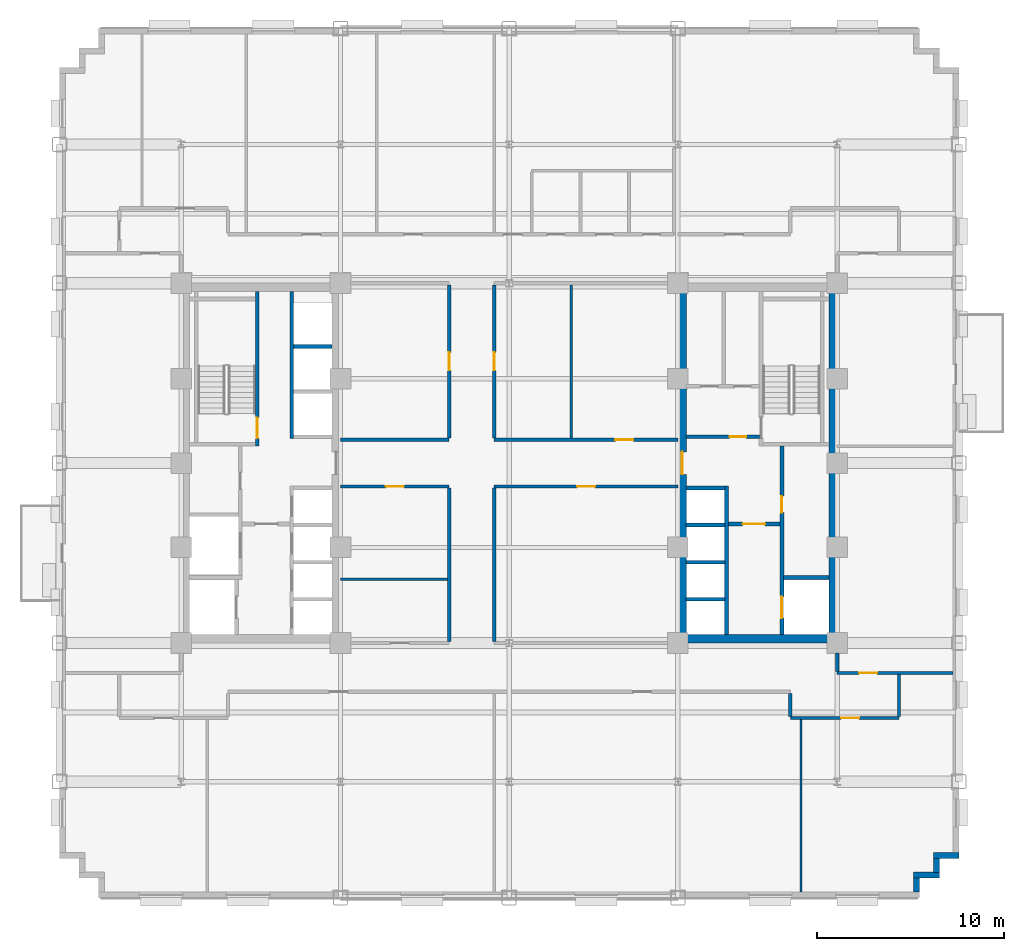
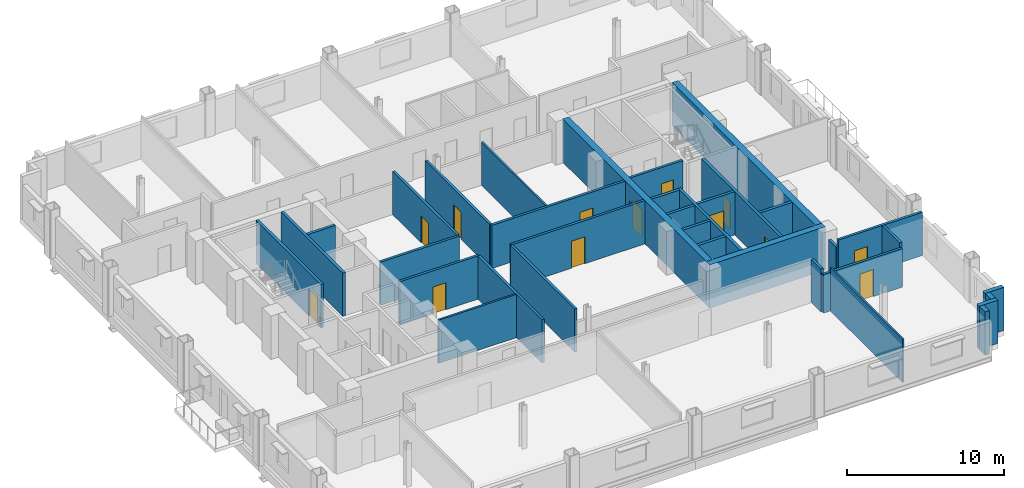
# One storey, part 7 of 15: 35 walls, 13 doors, 13 openings.
"""IFC4 building model written with IfcOpenShell, lengths in metres."""

from ifc_helpers import new_model, si_unit, direction, frame, frame_2d, origin, place, context, subcontext, project, spatial, rectangle, extrude, source, transform, mapped, material, layer, layer_set, type_object, type_shapes, element, fill, save


model = new_model("IFC4")

# Units and contexts
model_context = context("Model", 3, precision=1e-05, world=origin(), true_north=direction((0.0, 1.0)))
body_context = subcontext(model_context, "Body", "Model", "MODEL_VIEW")
ifc_project = project(units=[si_unit("LENGTHUNIT", "METRE"), si_unit("AREAUNIT", "SQUARE_METRE"), si_unit("VOLUMEUNIT", "CUBIC_METRE"), si_unit("PLANEANGLEUNIT", "RADIAN"), si_unit("MASSUNIT", "GRAM", prefix="KILO")], contexts=[model_context])

# Site, building, storey
site_placement = place(None, origin())
site = spatial("IfcSite", under=ifc_project, at=site_placement, CompositionType="ELEMENT")
building_placement = place(site_placement, origin())
building = spatial("IfcBuilding", under=site, at=building_placement, Name="Nuvemarco Arch Tower", CompositionType="ELEMENT")
storey_placement = place(building_placement, frame((0.0, 0.0, 86.0)))
storey = spatial("IfcBuildingStorey", under=building, at=storey_placement, Name="L22", CompositionType="ELEMENT", Elevation=86.0)

# Walls
ifc_material_1 = material(Name="Precast concrete C45/55", Category="concrete")
ifc_layer_1 = layer(ifc_material_1, 0.320068359375, Name="EW-MID-320")
ifc_layer_set_1 = layer_set([ifc_layer_1], Name="Precast concrete C45/55")
wall_type_1 = type_object("IfcWallType", Name="EW-MID-320", PredefinedType="STANDARD", material=ifc_layer_set_1)
wall_1_placement = place(storey_placement, frame((21.739990234375, -22.884033203125, 0.0), z_axis=(0.0, 0.0, 1.0), x_axis=(0.0, 1.0, 0.0)))
element("IfcWall", 1, at=wall_1_placement, inside=storey, type_object=wall_type_1, Name="L22 exterior precast facade wall 2", PredefinedType="STANDARD", context=body_context, shape_type="SweptSolid", body=[
    extrude(rectangle(XDim=0.738037109375, YDim=0.320068359375, at=frame_2d((0.369140625, 0.0))), origin(), (0.0, 0.0, 1.0), 3.360107421875),
])
wall_2_placement = place(storey_placement, frame((21.580078125, -21.989990234375, 0.0), z_axis=(0.0, 0.0, 1.0), x_axis=(1.0, 0.0, 0.0)))
element("IfcWall", 2, at=wall_2_placement, inside=storey, type_object=wall_type_1, Name="L22 exterior precast facade wall 3", PredefinedType="STANDARD", context=body_context, shape_type="SweptSolid", body=[
    extrude(rectangle(XDim=1.369873046875, YDim=0.320068359375, at=frame_2d((0.68505859375, 0.0))), origin(), (0.0, 0.0, 1.0), 3.360107421875),
])
wall_3_placement = place(storey_placement, frame((22.7900390625, -21.833984375, 0.0), z_axis=(0.0, 0.0, 1.0), x_axis=(0.0, 1.0, 0.0)))
element("IfcWall", 3, at=wall_3_placement, inside=storey, type_object=wall_type_1, Name="L22 exterior precast facade wall 4", PredefinedType="STANDARD", context=body_context, shape_type="SweptSolid", body=[
    extrude(rectangle(XDim=0.738037109375, YDim=0.320068359375, at=frame_2d((0.369140625, 0.0))), origin(), (0.0, 0.0, 1.0), 3.360107421875),
])
wall_4_placement = place(storey_placement, frame((22.6298828125, -20.93994140625, 0.0), z_axis=(0.0, 0.0, 1.0), x_axis=(1.0, 0.0, 0.0)))
element("IfcWall", 4, at=wall_4_placement, inside=storey, type_object=wall_type_1, Name="L22 exterior precast facade wall 5", PredefinedType="STANDARD", context=body_context, shape_type="SweptSolid", body=[
    extrude(rectangle(XDim=1.3701171875, YDim=0.320068359375, at=frame_2d((0.68505859375, 0.0))), origin(), (0.0, 0.0, 1.0), 3.360107421875),
])
ifc_material_2 = material(Name="Concrete C60/75", Category="concrete")
ifc_layer_2 = layer(ifc_material_2, 0.449951171875, Name="WL-CORE-450")
ifc_layer_set_2 = layer_set([ifc_layer_2], Name="Concrete C60/75")
wall_type_2 = type_object("IfcWallType", Name="WL-CORE-450", PredefinedType="SHEAR", material=ifc_layer_set_2)
wall_5_placement = place(storey_placement, frame((9.0, -9.375, 0.0), z_axis=(0.0, 0.0, 1.0), x_axis=(1.0, 0.0, 0.0)))
element("IfcWall", 5, at=wall_5_placement, inside=storey, type_object=wall_type_2, Name="L22 E-core shear wall S", PredefinedType="SHEAR", context=body_context, shape_type="SweptSolid", body=[
    extrude(rectangle(XDim=8.5, YDim=0.449951171875, at=frame_2d((4.25, 0.0))), origin(), (0.0, 0.0, 1.0), 3.3701171875),
])

# Wall, opening, door
wall_6_placement = place(storey_placement, frame((9.22509765625, -9.155029296875, 0.0), z_axis=(0.0, 0.0, 1.0), x_axis=(0.0, 1.0, 0.0)))
wall_6 = element("IfcWall", 6, at=wall_6_placement, inside=storey, type_object=wall_type_2, Name="L22 E-core shear wall W", PredefinedType="SHEAR", context=body_context, shape_type="SweptSolid", body=[
    extrude(rectangle(XDim=18.31005859375, YDim=0.449951171875, at=frame_2d((9.155029296875, 0.0))), origin(), (0.0, 0.0, 1.0), 3.3701171875),
])
opening_1_placement = place(wall_6_placement, frame((8.554931640625, 0.0, 0.0)))
opening_1 = element("IfcOpeningElement", 7, at=opening_1_placement, cuts=wall_6, Name="Opening FD-2", PredefinedType="OPENING", context=body_context, shape_type="SweptSolid", body=[
    extrude(rectangle(XDim=1.199951171875, YDim=2.14990234375, at=frame_2d((0.60009765625, 1.074951171875))), frame((0.0, 0.23486328125, 0.0), z_axis=(0.0, -1.0, 0.0), x_axis=(1.0, 0.0, 0.0)), (0.0, 0.0, 1.0), 0.469970703125),
])
ifc_material_3 = material(Name="Anodised steel fire door", Category="steel")
door_type_1 = type_object("IfcDoorType", Name="DR-FFLOB-FD", OperationType="NOTDEFINED", PredefinedType="DOOR", material=ifc_material_3)
shared_shape_1 = source(origin(), body_context, "Body", "SweptSolid", [
    extrude(rectangle(XDim=1.199951171875, YDim=2.14990234375, at=frame_2d((0.60009765625, 1.074951171875))), frame((0.0, 0.02490234375, 0.0), z_axis=(0.0, -1.0, 0.0), x_axis=(1.0, 0.0, 0.0)), (0.0, 0.0, 1.0), 0.050048828125),
])
type_shapes(door_type_1, [shared_shape_1])
door_1_placement = place(opening_1_placement, origin())
door_1 = element("IfcDoor", 8, at=door_1_placement, inside=storey, type_object=door_type_1, Name="L22 door FD-L22-ECORE-W", OperationType="SINGLE_SWING_LEFT", OverallHeight=2.14990234375, OverallWidth=1.199951171875, PredefinedType="DOOR", context=body_context, shape_type="MappedRepresentation", body=[
    mapped(shared_shape_1, transform((0.0, 0.0, 0.0), scale=1.0)),
])
fill(opening_1, door_1)

# Wall
wall_7_placement = place(storey_placement, frame((17.27490234375, -9.155029296875, 0.0), z_axis=(0.0, 0.0, 1.0), x_axis=(0.0, 1.0, 0.0)))
element("IfcWall", 9, at=wall_7_placement, inside=storey, type_object=wall_type_2, Name="L22 E-core shear wall E", PredefinedType="SHEAR", context=body_context, shape_type="SweptSolid", body=[
    extrude(rectangle(XDim=18.31005859375, YDim=0.449951171875, at=frame_2d((9.155029296875, 0.0))), origin(), (0.0, 0.0, 1.0), 3.3701171875),
])

# Wall, opening, door
ifc_material_4 = material(Name="Fire-rated gypsum drywall partition")
ifc_layer_3 = layer(ifc_material_4, 0.179931640625, Name="WL-CORR-180")
ifc_layer_set_3 = layer_set([ifc_layer_3], Name="Fire-rated gypsum drywall partition")
wall_type_3 = type_object("IfcWallType", Name="WL-CORR-180", PredefinedType="PARTITIONING", material=ifc_layer_set_3)
wall_8_placement = place(storey_placement, frame((9.445068359375, 1.39990234375, 0.0), z_axis=(0.0, 0.0, 1.0), x_axis=(1.0, 0.0, 0.0)))
wall_8 = element("IfcWall", 10, at=wall_8_placement, inside=storey, type_object=wall_type_3, Name="L22 interior wall IW-L22-EK-S", PredefinedType="PARTITIONING", context=body_context, shape_type="SweptSolid", body=[
    extrude(rectangle(XDim=3.89990234375, YDim=0.179931640625, at=frame_2d((1.949951171875, 0.0))), origin(), (0.0, 0.0, 1.0), 3.360107421875),
])
opening_2_placement = place(wall_8_placement, frame((2.31494140625, 0.0, 0.0)))
opening_2 = element("IfcOpeningElement", 11, at=opening_2_placement, cuts=wall_8, Name="Opening FD-4", PredefinedType="OPENING", context=body_context, shape_type="SweptSolid", body=[
    extrude(rectangle(XDim=0.8798828125, YDim=2.10009765625, at=frame_2d((0.43994140625, 1.050048828125))), frame((0.0, 0.099853515625, 0.0), z_axis=(0.0, -1.0, 0.0), x_axis=(1.0, 0.0, 0.0)), (0.0, 0.0, 1.0), 0.199951171875),
])
door_type_2 = type_object("IfcDoorType", Name="DR-RISER-FD", OperationType="NOTDEFINED", PredefinedType="DOOR", material=ifc_material_3)
shared_shape_2 = source(origin(), body_context, "Body", "SweptSolid", [
    extrude(rectangle(XDim=0.8798828125, YDim=2.10009765625, at=frame_2d((0.43994140625, 1.050048828125))), frame((0.0, 0.02490234375, 0.0), z_axis=(0.0, -1.0, 0.0), x_axis=(1.0, 0.0, 0.0)), (0.0, 0.0, 1.0), 0.050048828125),
])
type_shapes(door_type_2, [shared_shape_2])
door_2_placement = place(opening_2_placement, origin())
door_2 = element("IfcDoor", 12, at=door_2_placement, inside=storey, type_object=door_type_2, Name="L22 door FD-L22-EK3A", OperationType="SINGLE_SWING_RIGHT", OverallHeight=2.10009765625, OverallWidth=0.8798828125, PredefinedType="DOOR", context=body_context, shape_type="MappedRepresentation", body=[
    mapped(shared_shape_2, transform((0.0, 0.0, 0.0), scale=1.0)),
])
fill(opening_2, door_2)

wall_9_placement = place(storey_placement, frame((15.0, -13.60009765625, 0.0), z_axis=(0.0, 0.0, 1.0), x_axis=(1.0, 0.0, 0.0)))
wall_9 = element("IfcWall", 13, at=wall_9_placement, inside=storey, type_object=wall_type_3, Name="L22 interior wall IW-L22-002", PredefinedType="PARTITIONING", context=body_context, shape_type="SweptSolid", body=[
    extrude(rectangle(XDim=5.800048828125, YDim=0.179931640625, at=frame_2d((2.89990234375, 0.0))), origin(), (0.0, 0.0, 1.0), 2.998046875),
])
opening_3_placement = place(wall_9_placement, frame((2.705078125, 0.0, 0.0)))
opening_3 = element("IfcOpeningElement", 14, at=opening_3_placement, cuts=wall_9, Name="Opening FD-5", PredefinedType="OPENING", context=body_context, shape_type="SweptSolid", body=[
    extrude(rectangle(XDim=0.9599609375, YDim=2.10009765625, at=frame_2d((0.47998046875, 1.050048828125))), frame((0.0, 0.099853515625, 0.0), z_axis=(0.0, -1.0, 0.0), x_axis=(1.0, 0.0, 0.0)), (0.0, 0.0, 1.0), 0.199951171875),
])
ifc_material_5 = material(Name="Timber fire door", Category="wood")
door_type_3 = type_object("IfcDoorType", Name="DR-CORR-FD", OperationType="NOTDEFINED", PredefinedType="DOOR", material=ifc_material_5)
shared_shape_3 = source(origin(), body_context, "Body", "SweptSolid", [
    extrude(rectangle(XDim=0.9599609375, YDim=2.10009765625, at=frame_2d((0.47998046875, 1.050048828125))), frame((0.0, 0.02490234375, 0.0), z_axis=(0.0, -1.0, 0.0), x_axis=(1.0, 0.0, 0.0)), (0.0, 0.0, 1.0), 0.050048828125),
])
type_shapes(door_type_3, [shared_shape_3])
door_3_placement = place(opening_3_placement, origin())
door_3 = element("IfcDoor", 15, at=door_3_placement, inside=storey, type_object=door_type_3, Name="L22 door DR-L22-S_4", OperationType="SINGLE_SWING_LEFT", OverallHeight=2.10009765625, OverallWidth=0.9599609375, PredefinedType="DOOR", context=body_context, shape_type="MappedRepresentation", body=[
    mapped(shared_shape_3, transform((0.0, 0.0, 0.0), scale=1.0)),
])
fill(opening_3, door_3)

wall_10_placement = place(storey_placement, frame((17.5, -11.199951171875, 0.0), z_axis=(0.0, 0.0, 1.0), x_axis=(1.0, 0.0, 0.0)))
wall_10 = element("IfcWall", 16, at=wall_10_placement, inside=storey, type_object=wall_type_3, Name="L22 interior wall IW-L22-005", PredefinedType="PARTITIONING", context=body_context, shape_type="SweptSolid", body=[
    extrude(rectangle(XDim=6.179931640625, YDim=0.179931640625, at=frame_2d((3.08984375, 0.0))), origin(), (0.0, 0.0, 1.0), 3.360107421875),
])
opening_4_placement = place(wall_10_placement, frame((1.169921875, 0.0, 0.0)))
opening_4 = element("IfcOpeningElement", 17, at=opening_4_placement, cuts=wall_10, Name="Opening FD-5", PredefinedType="OPENING", context=body_context, shape_type="SweptSolid", body=[
    extrude(rectangle(XDim=0.9599609375, YDim=2.10009765625, at=frame_2d((0.47998046875, 1.050048828125))), frame((0.0, 0.099853515625, 0.0), z_axis=(0.0, -1.0, 0.0), x_axis=(1.0, 0.0, 0.0)), (0.0, 0.0, 1.0), 0.199951171875),
])
door_4_placement = place(opening_4_placement, origin())
door_4 = element("IfcDoor", 18, at=door_4_placement, inside=storey, type_object=door_type_3, Name="L22 door DR-L22-E_1", OperationType="SINGLE_SWING_RIGHT", OverallHeight=2.10009765625, OverallWidth=0.9599609375, PredefinedType="DOOR", context=body_context, shape_type="MappedRepresentation", body=[
    mapped(shared_shape_3, transform((0.0, 0.0, 0.0), scale=1.0)),
])
fill(opening_4, door_4)

wall_11_placement = place(storey_placement, frame((-9.0, -1.25, 0.0), z_axis=(0.0, 0.0, 1.0), x_axis=(1.0, 0.0, 0.0)))
wall_11 = element("IfcWall", 19, at=wall_11_placement, inside=storey, type_object=wall_type_3, Name="L22 interior wall IW-L22-010", PredefinedType="PARTITIONING", context=body_context, shape_type="SweptSolid", body=[
    extrude(rectangle(XDim=5.800048828125, YDim=0.179931640625, at=frame_2d((2.89990234375, 0.0))), origin(), (0.0, 0.0, 1.0), 3.360107421875),
])
opening_5_placement = place(wall_11_placement, frame((2.419921875, 0.0, 0.0)))
opening_5 = element("IfcOpeningElement", 20, at=opening_5_placement, cuts=wall_11, Name="Opening FD-5", PredefinedType="OPENING", context=body_context, shape_type="SweptSolid", body=[
    extrude(rectangle(XDim=0.9599609375, YDim=2.10009765625, at=frame_2d((0.47998046875, 1.050048828125))), frame((0.0, 0.099853515625, 0.0), z_axis=(0.0, -1.0, 0.0), x_axis=(1.0, 0.0, 0.0)), (0.0, 0.0, 1.0), 0.199951171875),
])
door_5_placement = place(opening_5_placement, origin())
door_5 = element("IfcDoor", 21, at=door_5_placement, inside=storey, type_object=door_type_3, Name="L22 door DR-L22-C_SW1", OperationType="SINGLE_SWING_RIGHT", OverallHeight=2.10009765625, OverallWidth=0.9599609375, PredefinedType="DOOR", context=body_context, shape_type="MappedRepresentation", body=[
    mapped(shared_shape_3, transform((0.0, 0.0, 0.0), scale=1.0)),
])
fill(opening_5, door_5)

wall_12_placement = place(storey_placement, frame((-0.800048828125, -1.25, 0.0), z_axis=(0.0, 0.0, 1.0), x_axis=(1.0, 0.0, 0.0)))
wall_12 = element("IfcWall", 22, at=wall_12_placement, inside=storey, type_object=wall_type_3, Name="L22 interior wall IW-L22-011", PredefinedType="PARTITIONING", context=body_context, shape_type="SweptSolid", body=[
    extrude(rectangle(XDim=9.800048828125, YDim=0.179931640625, at=frame_2d((4.89990234375, 0.0))), origin(), (0.0, 0.0, 1.0), 3.360107421875),
])
opening_6_placement = place(wall_12_placement, frame((4.419921875, 0.0, 0.0)))
opening_6 = element("IfcOpeningElement", 23, at=opening_6_placement, cuts=wall_12, Name="Opening FD-5", PredefinedType="OPENING", context=body_context, shape_type="SweptSolid", body=[
    extrude(rectangle(XDim=0.9599609375, YDim=2.10009765625, at=frame_2d((0.47998046875, 1.050048828125))), frame((0.0, 0.099853515625, 0.0), z_axis=(0.0, -1.0, 0.0), x_axis=(1.0, 0.0, 0.0)), (0.0, 0.0, 1.0), 0.199951171875),
])
door_6_placement = place(opening_6_placement, origin())
door_6 = element("IfcDoor", 24, at=door_6_placement, inside=storey, type_object=door_type_3, Name="L22 door DR-L22-C_SE", OperationType="SINGLE_SWING_LEFT", OverallHeight=2.10009765625, OverallWidth=0.9599609375, PredefinedType="DOOR", context=body_context, shape_type="MappedRepresentation", body=[
    mapped(shared_shape_3, transform((0.0, 0.0, 0.0), scale=1.0)),
])
fill(opening_6, door_6)

# Wall
wall_13_placement = place(storey_placement, frame((-9.0, 1.25, 0.0), z_axis=(0.0, 0.0, 1.0), x_axis=(1.0, 0.0, 0.0)))
element("IfcWall", 25, at=wall_13_placement, inside=storey, type_object=wall_type_3, Name="L22 interior wall IW-L22-013", PredefinedType="PARTITIONING", context=body_context, shape_type="SweptSolid", body=[
    extrude(rectangle(XDim=5.800048828125, YDim=0.179931640625, at=frame_2d((2.89990234375, 0.0))), origin(), (0.0, 0.0, 1.0), 3.360107421875),
])

# Wall, opening, door
wall_14_placement = place(storey_placement, frame((-0.800048828125, 1.25, 0.0), z_axis=(0.0, 0.0, 1.0), x_axis=(1.0, 0.0, 0.0)))
wall_14 = element("IfcWall", 26, at=wall_14_placement, inside=storey, type_object=wall_type_3, Name="L22 interior wall IW-L22-014", PredefinedType="PARTITIONING", context=body_context, shape_type="SweptSolid", body=[
    extrude(rectangle(XDim=9.800048828125, YDim=0.179931640625, at=frame_2d((4.89990234375, 0.0))), origin(), (0.0, 0.0, 1.0), 3.360107421875),
])
opening_7_placement = place(wall_14_placement, frame((6.469970703125, 0.0, 0.0)))
opening_7 = element("IfcOpeningElement", 27, at=opening_7_placement, cuts=wall_14, Name="Opening FD-5", PredefinedType="OPENING", context=body_context, shape_type="SweptSolid", body=[
    extrude(rectangle(XDim=0.9599609375, YDim=2.10009765625, at=frame_2d((0.47998046875, 1.050048828125))), frame((0.0, 0.099853515625, 0.0), z_axis=(0.0, -1.0, 0.0), x_axis=(1.0, 0.0, 0.0)), (0.0, 0.0, 1.0), 0.199951171875),
])
door_7_placement = place(opening_7_placement, origin())
door_7 = element("IfcDoor", 28, at=door_7_placement, inside=storey, type_object=door_type_3, Name="L22 door DR-L22-C_NE2", OperationType="SINGLE_SWING_LEFT", OverallHeight=2.10009765625, OverallWidth=0.9599609375, PredefinedType="DOOR", context=body_context, shape_type="MappedRepresentation", body=[
    mapped(shared_shape_3, transform((0.0, 0.0, 0.0), scale=1.0)),
])
fill(opening_7, door_7)

# Wall
wall_15_placement = place(storey_placement, frame((-3.199951171875, -9.513916015625, 0.0), z_axis=(0.0, 0.0, 1.0), x_axis=(0.0, 1.0, 0.0)))
element("IfcWall", 29, at=wall_15_placement, inside=storey, type_object=wall_type_3, Name="L22 interior wall IW-L22-035", PredefinedType="PARTITIONING", context=body_context, shape_type="SweptSolid", body=[
    extrude(rectangle(XDim=8.177978515625, YDim=0.179931640625, at=frame_2d((4.0888671875, 0.0))), origin(), (0.0, 0.0, 1.0), 3.360107421875),
])

# Wall, opening, door
wall_16_placement = place(storey_placement, frame((-3.199951171875, 1.3359375, 0.0), z_axis=(0.0, 0.0, 1.0), x_axis=(0.0, 1.0, 0.0)))
wall_16 = element("IfcWall", 30, at=wall_16_placement, inside=storey, type_object=wall_type_3, Name="L22 interior wall IW-L22-036", PredefinedType="PARTITIONING", context=body_context, shape_type="SweptSolid", body=[
    extrude(rectangle(XDim=8.177978515625, YDim=0.179931640625, at=frame_2d((4.0888671875, 0.0))), origin(), (0.0, 0.0, 1.0), 3.360107421875),
])
opening_8_placement = place(wall_16_placement, frame((3.60888671875, 0.0, 0.0)))
opening_8 = element("IfcOpeningElement", 31, at=opening_8_placement, cuts=wall_16, Name="Opening FD-5", PredefinedType="OPENING", context=body_context, shape_type="SweptSolid", body=[
    extrude(rectangle(XDim=0.9599609375, YDim=2.10009765625, at=frame_2d((0.47998046875, 1.050048828125))), frame((0.0, 0.099853515625, 0.0), z_axis=(0.0, -1.0, 0.0), x_axis=(1.0, 0.0, 0.0)), (0.0, 0.0, 1.0), 0.199951171875),
])
door_8_placement = place(opening_8_placement, origin())
door_8 = element("IfcDoor", 32, at=door_8_placement, inside=storey, type_object=door_type_3, Name="L22 door DR-L22-C_NW", OperationType="SINGLE_SWING_RIGHT", OverallHeight=2.10009765625, OverallWidth=0.9599609375, PredefinedType="DOOR", context=body_context, shape_type="MappedRepresentation", body=[
    mapped(shared_shape_3, transform((0.0, 0.0, 0.0), scale=1.0)),
])
fill(opening_8, door_8)

# Wall
wall_17_placement = place(storey_placement, frame((-0.800048828125, -9.513916015625, 0.0), z_axis=(0.0, 0.0, 1.0), x_axis=(0.0, 1.0, 0.0)))
element("IfcWall", 33, at=wall_17_placement, inside=storey, type_object=wall_type_3, Name="L22 interior wall IW-L22-038", PredefinedType="PARTITIONING", context=body_context, shape_type="SweptSolid", body=[
    extrude(rectangle(XDim=8.177978515625, YDim=0.179931640625, at=frame_2d((4.0888671875, 0.0))), origin(), (0.0, 0.0, 1.0), 3.360107421875),
])

# Wall, opening, door
wall_18_placement = place(storey_placement, frame((-0.800048828125, 1.3359375, 0.0), z_axis=(0.0, 0.0, 1.0), x_axis=(0.0, 1.0, 0.0)))
wall_18 = element("IfcWall", 34, at=wall_18_placement, inside=storey, type_object=wall_type_3, Name="L22 interior wall IW-L22-039", PredefinedType="PARTITIONING", context=body_context, shape_type="SweptSolid", body=[
    extrude(rectangle(XDim=8.177978515625, YDim=0.179931640625, at=frame_2d((4.0888671875, 0.0))), origin(), (0.0, 0.0, 1.0), 3.360107421875),
])
opening_9_placement = place(wall_18_placement, frame((3.60888671875, 0.0, 0.0)))
opening_9 = element("IfcOpeningElement", 35, at=opening_9_placement, cuts=wall_18, Name="Opening FD-5", PredefinedType="OPENING", context=body_context, shape_type="SweptSolid", body=[
    extrude(rectangle(XDim=0.9599609375, YDim=2.10009765625, at=frame_2d((0.47998046875, 1.050048828125))), frame((0.0, 0.099853515625, 0.0), z_axis=(0.0, -1.0, 0.0), x_axis=(1.0, 0.0, 0.0)), (0.0, 0.0, 1.0), 0.199951171875),
])
door_9_placement = place(opening_9_placement, origin())
door_9 = element("IfcDoor", 36, at=door_9_placement, inside=storey, type_object=door_type_3, Name="L22 door DR-L22-C_NE1", OperationType="SINGLE_SWING_LEFT", OverallHeight=2.10009765625, OverallWidth=0.9599609375, PredefinedType="DOOR", context=body_context, shape_type="MappedRepresentation", body=[
    mapped(shared_shape_3, transform((0.0, 0.0, 0.0), scale=1.0)),
])
fill(opening_9, door_9)

# Walls
wall_19_placement = place(storey_placement, frame((15.0, -13.513916015625, 0.0), z_axis=(0.0, 0.0, 1.0), x_axis=(0.0, 1.0, 0.0)))
element("IfcWall", 37, at=wall_19_placement, inside=storey, type_object=wall_type_3, Name="L22 interior wall IW-L22-047", PredefinedType="PARTITIONING", context=body_context, shape_type="SweptSolid", body=[
    extrude(rectangle(XDim=1.22802734375, YDim=0.179931640625, at=frame_2d((0.614013671875, 0.0))), origin(), (0.0, 0.0, 1.0), 3.360107421875),
])
wall_20_placement = place(storey_placement, frame((17.5, -11.114013671875, 0.0), z_axis=(0.0, 0.0, 1.0), x_axis=(0.0, 1.0, 0.0)))
element("IfcWall", 38, at=wall_20_placement, inside=storey, type_object=wall_type_3, Name="L22 interior wall IW-L22-050", PredefinedType="PARTITIONING", context=body_context, shape_type="SweptSolid", body=[
    extrude(rectangle(XDim=0.968017578125, YDim=0.179931640625, at=frame_2d((0.48388671875, 0.0))), origin(), (0.0, 0.0, 1.0), 2.738037109375),
])
wall_21_placement = place(storey_placement, frame((20.800048828125, -13.513916015625, 0.0), z_axis=(0.0, 0.0, 1.0), x_axis=(0.0, 1.0, 0.0)))
element("IfcWall", 39, at=wall_21_placement, inside=storey, type_object=wall_type_3, Name="L22 interior wall IW-L22-052", PredefinedType="PARTITIONING", context=body_context, shape_type="SweptSolid", body=[
    extrude(rectangle(XDim=2.22802734375, YDim=0.179931640625, at=frame_2d((1.114013671875, 0.0))), origin(), (0.0, 0.0, 1.0), 3.360107421875),
])
ifc_material_6 = material(Name="Glazed acoustic office partition")
ifc_layer_4 = layer(ifc_material_6, 0.1298828125, Name="WL-EXEC-130")
ifc_layer_set_4 = layer_set([ifc_layer_4], Name="Glazed acoustic office partition")
wall_type_4 = type_object("IfcWallType", Name="WL-EXEC-130", PredefinedType="PARTITIONING", material=ifc_layer_set_4)
wall_22_placement = place(storey_placement, frame((3.300048828125, 1.3359375, 0.0), z_axis=(0.0, 0.0, 1.0), x_axis=(0.0, 1.0, 0.0)))
element("IfcWall", 40, at=wall_22_placement, inside=storey, type_object=wall_type_4, Name="L22 interior wall IW-L22-042", PredefinedType="PARTITIONING", context=body_context, shape_type="SweptSolid", body=[
    extrude(rectangle(XDim=8.177978515625, YDim=0.1298828125, at=frame_2d((4.0888671875, 0.0))), origin(), (0.0, 0.0, 1.0), 3.360107421875),
])
wall_23_placement = place(storey_placement, frame((15.570068359375, -22.8798828125, 0.0), z_axis=(0.0, 0.0, 1.0), x_axis=(0.0, 1.0, 0.0)))
element("IfcWall", 41, at=wall_23_placement, inside=storey, type_object=wall_type_4, Name="L22 interior wall IW-L22-049", PredefinedType="PARTITIONING", context=body_context, shape_type="SweptSolid", body=[
    extrude(rectangle(XDim=9.19384765625, YDim=0.1298828125, at=frame_2d((4.596923828125, 0.0))), origin(), (0.0, 0.0, 1.0), 3.360107421875),
])
ifc_material_7 = material(Name="Gypsum plasterboard partition")
ifc_layer_5 = layer(ifc_material_7, 0.139892578125, Name="WL-ROOM-140")
ifc_layer_set_5 = layer_set([ifc_layer_5], Name="Gypsum plasterboard partition")
wall_type_5 = type_object("IfcWallType", Name="WL-ROOM-140", PredefinedType="PARTITIONING", material=ifc_layer_set_5)
wall_24_placement = place(storey_placement, frame((-9.0, -6.199951171875, 0.0), z_axis=(0.0, 0.0, 1.0), x_axis=(1.0, 0.0, 0.0)))
element("IfcWall", 42, at=wall_24_placement, inside=storey, type_object=wall_type_5, Name="L22 interior wall IW-L22-009", PredefinedType="PARTITIONING", context=body_context, shape_type="SweptSolid", body=[
    extrude(rectangle(XDim=5.714111328125, YDim=0.139892578125, at=frame_2d((2.85693359375, 0.0))), origin(), (0.0, 0.0, 1.0), 3.360107421875),
])

# Wall, opening, door
ifc_material_8 = material(Name="Concrete C50/60", Category="concrete")
ifc_layer_6 = layer(ifc_material_8, 0.199951171875, Name="WL-SHAFT-220")
ifc_layer_set_6 = layer_set([ifc_layer_6], Name="Concrete C50/60")
wall_type_6 = type_object("IfcWallType", Name="WL-SHAFT-220", PredefinedType="SHEAR", material=ifc_layer_set_6)
wall_25_placement = place(storey_placement, frame((-13.43994140625, 0.89990234375, 0.0), z_axis=(0.0, 0.0, 1.0), x_axis=(0.0, 1.0, 0.0)))
wall_25 = element("IfcWall", 43, at=wall_25_placement, inside=storey, type_object=wall_type_6, Name="L22 structural shaft wall SW-L22-W-ST1E", PredefinedType="SHEAR", context=body_context, shape_type="SweptSolid", body=[
    extrude(rectangle(XDim=8.255126953125, YDim=0.199951171875, at=frame_2d((4.12744140625, 0.0))), origin(), (0.0, 0.0, 1.0), 3.3701171875),
])
opening_10_placement = place(wall_25_placement, frame((1.530029296875, 0.0, 0.0), z_axis=(0.0, 0.0, 1.0), x_axis=(-1.0, 0.0, 0.0)))
opening_10 = element("IfcOpeningElement", 44, at=opening_10_placement, cuts=wall_25, Name="Opening FD-1", PredefinedType="OPENING", context=body_context, shape_type="SweptSolid", body=[
    extrude(rectangle(XDim=1.10009765625, YDim=2.14990234375, at=frame_2d((0.550048828125, 1.074951171875))), frame((0.0, 0.10986328125, 0.0), z_axis=(0.0, -1.0, 0.0), x_axis=(1.0, 0.0, 0.0)), (0.0, 0.0, 1.0), 0.219970703125),
])
door_type_4 = type_object("IfcDoorType", Name="DR-STAIR-FD", OperationType="NOTDEFINED", PredefinedType="DOOR", material=ifc_material_3)
shared_shape_4 = source(origin(), body_context, "Body", "SweptSolid", [
    extrude(rectangle(XDim=1.10009765625, YDim=2.14990234375, at=frame_2d((0.550048828125, 1.074951171875))), frame((0.0, 0.02490234375, 0.0), z_axis=(0.0, -1.0, 0.0), x_axis=(1.0, 0.0, 0.0)), (0.0, 0.0, 1.0), 0.050048828125),
])
type_shapes(door_type_4, [shared_shape_4])
door_10_placement = place(opening_10_placement, origin())
door_10 = element("IfcDoor", 45, at=door_10_placement, inside=storey, type_object=door_type_4, Name="L22 door FD-L22-ST1", OperationType="SINGLE_SWING_RIGHT", OverallHeight=2.14990234375, OverallWidth=1.10009765625, PredefinedType="DOOR", context=body_context, shape_type="MappedRepresentation", body=[
    mapped(shared_shape_4, transform((0.0, 0.0, 0.0), scale=1.0)),
])
fill(opening_10, door_10)

# Walls
wall_26_placement = place(storey_placement, frame((-11.60009765625, 1.300048828125, 0.0), z_axis=(0.0, 0.0, 1.0), x_axis=(0.0, 1.0, 0.0)))
element("IfcWall", 46, at=wall_26_placement, inside=storey, type_object=wall_type_6, Name="L22 structural shaft wall SW-L22-W-PHW", PredefinedType="SHEAR", context=body_context, shape_type="SweptSolid", body=[
    extrude(rectangle(XDim=7.85498046875, YDim=0.199951171875, at=frame_2d((3.927490234375, 0.0))), origin(), (0.0, 0.0, 1.0), 3.3701171875),
])
wall_27_placement = place(storey_placement, frame((-11.5048828125, 6.219970703125, 0.0), z_axis=(0.0, 0.0, 1.0), x_axis=(1.0, 0.0, 0.0)))
element("IfcWall", 47, at=wall_27_placement, inside=storey, type_object=wall_type_6, Name="L22 structural shaft wall SW-L22-W-PHD3", PredefinedType="SHEAR", context=body_context, shape_type="SweptSolid", body=[
    extrude(rectangle(XDim=2.059814453125, YDim=0.199951171875, at=frame_2d((1.02978515625, 0.0))), origin(), (0.0, 0.0, 1.0), 3.3701171875),
])

# Wall, openings, doors
wall_28_placement = place(storey_placement, frame((14.550048828125, -9.155029296875, 0.0), z_axis=(0.0, 0.0, 1.0), x_axis=(0.0, 1.0, 0.0)))
wall_28 = element("IfcWall", 48, at=wall_28_placement, inside=storey, type_object=wall_type_6, Name="L22 structural shaft wall SW-L22-E-SHW", PredefinedType="SHEAR", context=body_context, shape_type="SweptSolid", body=[
    extrude(rectangle(XDim=10.06005859375, YDim=0.199951171875, at=frame_2d((5.030029296875, 0.0))), origin(), (0.0, 0.0, 1.0), 3.3701171875),
])
opening_11_placement = place(wall_28_placement, frame((6.514892578125, 0.0, 0.0)))
opening_11 = element("IfcOpeningElement", 49, at=opening_11_placement, cuts=wall_28, Name="Opening FD-4", PredefinedType="OPENING", context=body_context, shape_type="SweptSolid", body=[
    extrude(rectangle(XDim=0.8798828125, YDim=2.10009765625, at=frame_2d((0.43994140625, 1.050048828125))), frame((0.0, 0.10986328125, 0.0), z_axis=(0.0, -1.0, 0.0), x_axis=(1.0, 0.0, 0.0)), (0.0, 0.0, 1.0), 0.219970703125),
])
opening_12_placement = place(wall_28_placement, frame((0.8798828125, 0.0, 0.0)))
opening_12 = element("IfcOpeningElement", 50, at=opening_12_placement, cuts=wall_28, Name="Opening LD-2", PredefinedType="OPENING", context=body_context, shape_type="SweptSolid", body=[
    extrude(rectangle(XDim=1.14990234375, YDim=2.14990234375, at=frame_2d((0.574951171875, 1.074951171875))), frame((0.0, 0.10986328125, 0.0), z_axis=(0.0, -1.0, 0.0), x_axis=(1.0, 0.0, 0.0)), (0.0, 0.0, 1.0), 0.219970703125),
])
door_11_placement = place(opening_11_placement, origin())
door_11 = element("IfcDoor", 51, at=door_11_placement, inside=storey, type_object=door_type_2, Name="L22 door FD-L22-ERIS", OperationType="SINGLE_SWING_LEFT", OverallHeight=2.10009765625, OverallWidth=0.8798828125, PredefinedType="DOOR", context=body_context, shape_type="MappedRepresentation", body=[
    mapped(shared_shape_2, transform((0.0, 0.0, 0.0), scale=1.0)),
])
fill(opening_11, door_11)
ifc_material_9 = material(Name="Stainless steel lift door", Category="steel")
door_type_5 = type_object("IfcDoorType", Name="DR-LIFT-FIRE", OperationType="DOUBLE_DOOR_SLIDING", PredefinedType="DOOR", material=ifc_material_9)
shared_shape_5 = source(origin(), body_context, "Body", "SweptSolid", [
    extrude(rectangle(XDim=1.14990234375, YDim=2.14990234375, at=frame_2d((0.574951171875, 1.074951171875))), frame((0.0, 0.02490234375, 0.0), z_axis=(0.0, -1.0, 0.0), x_axis=(1.0, 0.0, 0.0)), (0.0, 0.0, 1.0), 0.050048828125),
])
type_shapes(door_type_5, [shared_shape_5])
door_12_placement = place(opening_12_placement, origin())
door_12 = element("IfcDoor", 52, at=door_12_placement, inside=storey, type_object=door_type_5, Name="L22 Lift landing sliding door FFL-2", OperationType="DOUBLE_DOOR_SLIDING", OverallHeight=2.14990234375, OverallWidth=1.14990234375, PredefinedType="DOOR", context=body_context, shape_type="MappedRepresentation", body=[
    mapped(shared_shape_5, transform((0.0, 0.0, 0.0), scale=1.0)),
])
fill(opening_12, door_12)

# Walls
wall_29_placement = place(storey_placement, frame((14.64501953125, -6.10009765625, 0.0), z_axis=(0.0, 0.0, 1.0), x_axis=(1.0, 0.0, 0.0)))
element("IfcWall", 53, at=wall_29_placement, inside=storey, type_object=wall_type_6, Name="L22 structural shaft wall SW-L22-E-SH1", PredefinedType="SHEAR", context=body_context, shape_type="SweptSolid", body=[
    extrude(rectangle(XDim=2.409912109375, YDim=0.199951171875, at=frame_2d((1.205078125, 0.0))), origin(), (0.0, 0.0, 1.0), 3.3701171875),
])
wall_30_placement = place(storey_placement, frame((11.60009765625, -9.155029296875, 0.0), z_axis=(0.0, 0.0, 1.0), x_axis=(0.0, 1.0, 0.0)))
element("IfcWall", 54, at=wall_30_placement, inside=storey, type_object=wall_type_6, Name="L22 structural shaft wall SW-L22-E-PME", PredefinedType="SHEAR", context=body_context, shape_type="SweptSolid", body=[
    extrude(rectangle(XDim=7.925048828125, YDim=0.199951171875, at=frame_2d((3.96240234375, 0.0))), origin(), (0.0, 0.0, 1.0), 3.3701171875),
])

# Wall, opening, door
wall_31_placement = place(storey_placement, frame((11.695068359375, -3.25, 0.0), z_axis=(0.0, 0.0, 1.0), x_axis=(1.0, 0.0, 0.0)))
wall_31 = element("IfcWall", 55, at=wall_31_placement, inside=storey, type_object=wall_type_6, Name="L22 structural shaft wall SW-L22-E-FFN", PredefinedType="SHEAR", context=body_context, shape_type="SweptSolid", body=[
    extrude(rectangle(XDim=2.760009765625, YDim=0.199951171875, at=frame_2d((1.3798828125, 0.0))), origin(), (0.0, 0.0, 1.0), 3.3701171875),
])
opening_13_placement = place(wall_31_placement, frame((0.7548828125, 0.0, 0.0)))
opening_13 = element("IfcOpeningElement", 56, at=opening_13_placement, cuts=wall_31, Name="Opening FD-2", PredefinedType="OPENING", context=body_context, shape_type="SweptSolid", body=[
    extrude(rectangle(XDim=1.199951171875, YDim=2.14990234375, at=frame_2d((0.60009765625, 1.074951171875))), frame((0.0, 0.10986328125, 0.0), z_axis=(0.0, -1.0, 0.0), x_axis=(1.0, 0.0, 0.0)), (0.0, 0.0, 1.0), 0.219970703125),
])
door_13_placement = place(opening_13_placement, origin())
door_13 = element("IfcDoor", 57, at=door_13_placement, inside=storey, type_object=door_type_1, Name="L22 door FD-L22-EFF2", OperationType="SINGLE_SWING_LEFT", OverallHeight=2.14990234375, OverallWidth=1.199951171875, PredefinedType="DOOR", context=body_context, shape_type="MappedRepresentation", body=[
    mapped(shared_shape_1, transform((0.0, 0.0, 0.0), scale=1.0)),
])
fill(opening_13, door_13)

# Walls
for number, where, z_axis, x_axis, name in (
    (58, (9.445068359375, -7.27001953125, 0.0), (0.0, 0.0, 1.0), (1.0, 0.0, 0.0), "L22 structural shaft wall SW-L22-E-PMD1"),
    (59, (9.445068359375, -5.2900390625, 0.0), (0.0, 0.0, 1.0), (1.0, 0.0, 0.0), "L22 structural shaft wall SW-L22-E-PMD2"),
    (60, (9.445068359375, -3.31005859375, 0.0), (0.0, 0.0, 1.0), (1.0, 0.0, 0.0), "L22 structural shaft wall SW-L22-E-PMD3"),
    (61, (9.445068359375, -1.330078125, 0.0), (0.0, 0.0, 1.0), (1.0, 0.0, 0.0), "L22 structural shaft wall SW-L22-E-PMD4"),
):
    element("IfcWall", number, at=place(storey_placement, frame(where, z_axis=z_axis, x_axis=x_axis)), inside=storey, type_object=wall_type_6, Name=name, PredefinedType="SHEAR", context=body_context, shape_type="SweptSolid", body=[
        extrude(rectangle(XDim=2.059814453125, YDim=0.199951171875, at=frame_2d((1.02978515625, 0.0))), origin(), (0.0, 0.0, 1.0), 3.3701171875),
    ])

save(model, "model.ifc")
